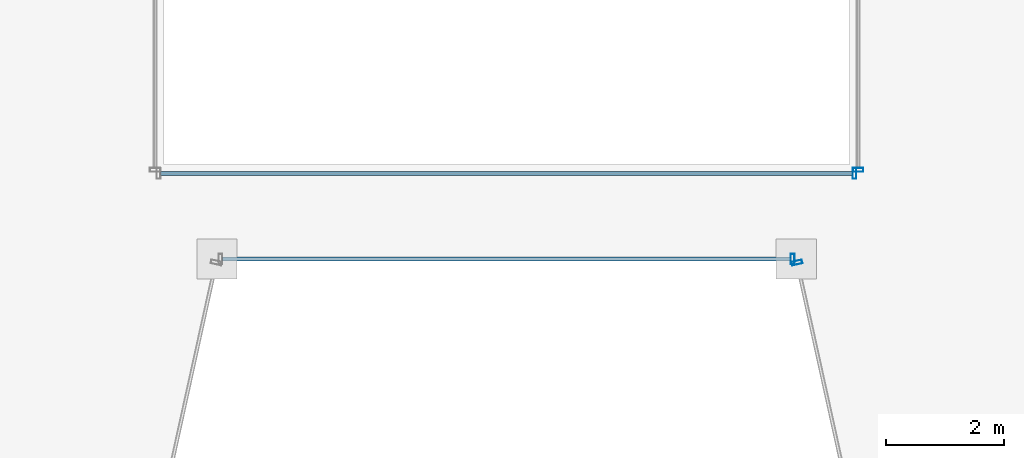
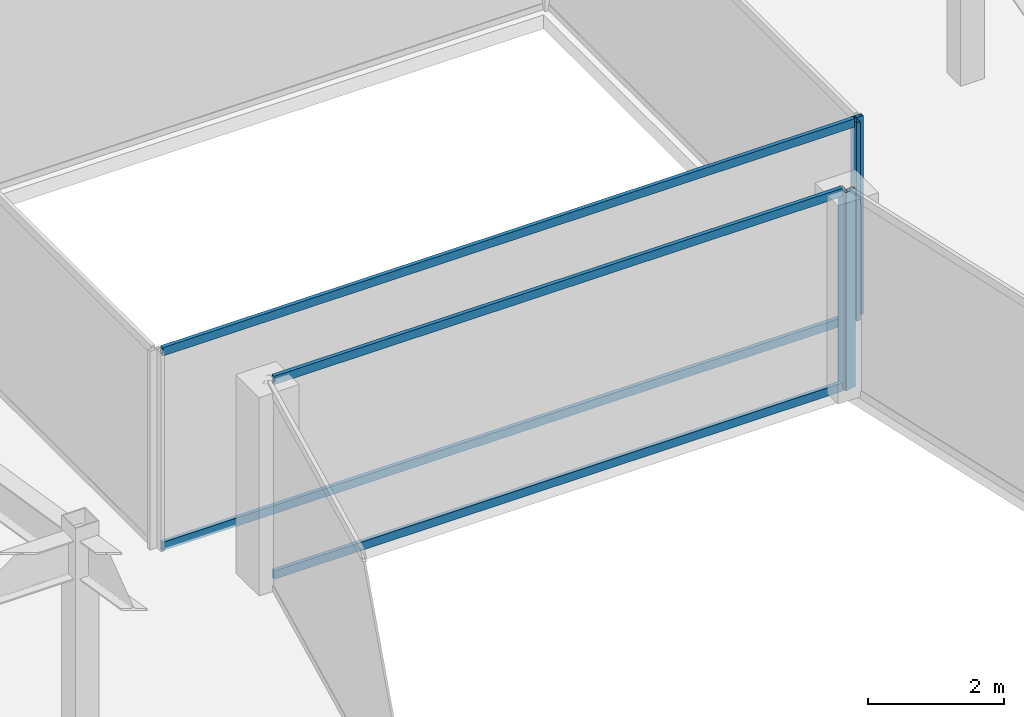
# One storey, part 8 of 35: 8 members, 4 elements without a shape of their own.
"""IFC4 building model written with IfcOpenShell, lengths in metres."""

from ifc_helpers import new_model, si_unit, direction, frame, origin, origin_2d, place, context, subcontext, project, spatial, hollow_rectangle, extrude, material, material_profile, profile_set, type_object, element, aggregate, save


model = new_model("IFC4")

# Units and contexts
model_context = context("Model", 3, precision=1e-05, world=origin(), true_north=direction((0.0, 1.0)))
body_context = subcontext(model_context, "Body", "Model", "MODEL_VIEW")
ifc_project = project(units=[si_unit("LENGTHUNIT", "METRE"), si_unit("AREAUNIT", "SQUARE_METRE"), si_unit("VOLUMEUNIT", "CUBIC_METRE"), si_unit("PLANEANGLEUNIT", "RADIAN"), si_unit("MASSUNIT", "GRAM", prefix="KILO")], contexts=[model_context])

# Site, building, storey
site_placement = place(None, origin())
site = spatial("IfcSite", under=ifc_project, at=site_placement, CompositionType="ELEMENT")
building_placement = place(site_placement, origin())
building = spatial("IfcBuilding", under=site, at=building_placement, Name="Saevonmaru Cultural Tower", CompositionType="ELEMENT")
storey_placement = place(building_placement, frame((0.0, 0.0, 213.199951171875)))
storey = spatial("IfcBuildingStorey", under=building, at=storey_placement, Name="L49", CompositionType="ELEMENT", Elevation=213.199951171875)

# Curtain wall, member
ifc_material = material(Name="Satin Bronze Anodised Aluminium", Category="aluminium")
curtain_wall_type_1 = type_object("IfcCurtainWallType", Name="CW-TYP-B", PredefinedType="NOTDEFINED", material=ifc_material)
curtain_wall_1_placement = place(storey_placement, origin())
curtain_wall_1 = element("IfcCurtainWall", 1, at=curtain_wall_1_placement, inside=storey, type_object=curtain_wall_type_1, Name="L49 Unitised Curtain Wall E4", PredefinedType="NOTDEFINED")
ifc_material_profile_1 = material_profile(ifc_material, hollow_rectangle(XDim=0.06494140625, YDim=0.179931640625, WallThickness=0.00390625, at=origin_2d()), Name="ALU-MULL-180x65x4")
ifc_profile_set_1 = profile_set([ifc_material_profile_1], Name="Satin Bronze Anodised Aluminium")
member_type_1 = type_object("IfcMemberType", Name="ML-CW-180x65", PredefinedType="MULLION", material=ifc_profile_set_1)
member_1_placement = place(storey_placement, frame((34.84228515625, 26.0, 0.0), z_axis=(0.0, 0.0, 1.0), x_axis=(1.0, 0.0, 0.0)))
member_1 = element("IfcMember", 2, at=member_1_placement, type_object=member_type_1, Name="CW-TW-L49-E4 mullion 2", PredefinedType="MULLION", context=body_context, shape_type="SweptSolid", body=[
    extrude(hollow_rectangle(XDim=0.06494140625, YDim=0.179931640625, WallThickness=0.00390625, at=origin_2d()), origin(), (0.0, 0.0, 1.0), 3.550048828125),
])

curtain_wall_2_placement = place(storey_placement, origin())
curtain_wall_2 = element("IfcCurtainWall", 3, at=curtain_wall_2_placement, inside=storey, type_object=curtain_wall_type_1, Name="L49 Unitised Curtain Wall E5", PredefinedType="NOTDEFINED")
member_2_placement = place(storey_placement, frame((34.9150390625, 25.94140625, 0.0), z_axis=(0.0, 0.0, 1.0), x_axis=(0.215413319953, -0.976522965212, 0.0)))
member_2 = element("IfcMember", 4, at=member_2_placement, type_object=member_type_1, Name="CW-TW-L49-E5 mullion 1", PredefinedType="MULLION", context=body_context, shape_type="SweptSolid", body=[
    extrude(hollow_rectangle(XDim=0.06494140625, YDim=0.179931640625, WallThickness=0.00390625, at=origin_2d()), origin(), (0.0, 0.0, 1.0), 3.550048828125),
])
aggregate(curtain_wall_2, [member_2])

curtain_wall_type_2 = type_object("IfcCurtainWallType", Name="CW-ATR-GLZ", PredefinedType="NOTDEFINED", material=ifc_material)
curtain_wall_3_placement = place(storey_placement, origin())
curtain_wall_3 = element("IfcCurtainWall", 5, at=curtain_wall_3_placement, inside=storey, type_object=curtain_wall_type_2, Name="L49 Vertical Atrium Glazed Smoke Screen 1", PredefinedType="NOTDEFINED")
ifc_material_profile_2 = material_profile(ifc_material, hollow_rectangle(XDim=0.06494140625, YDim=0.179931640625, WallThickness=0.00390625, at=origin_2d()), Name="ALU-MULL-180x65x4")
ifc_profile_set_2 = profile_set([ifc_material_profile_2], Name="Satin Bronze Anodised Aluminium")
member_type_2 = type_object("IfcMemberType", Name="ML-CW-INT-180x65", PredefinedType="MULLION", material=ifc_profile_set_2)
member_3_placement = place(storey_placement, frame((35.889892578125, 27.449951171875, 0.0), z_axis=(0.0, 0.0, 1.0), x_axis=(1.0, 0.0, 0.0)))
member_3 = element("IfcMember", 6, at=member_3_placement, type_object=member_type_2, Name="CW-ATR-L49-1 mullion 2", PredefinedType="MULLION", context=body_context, shape_type="SweptSolid", body=[
    extrude(hollow_rectangle(XDim=0.06494140625, YDim=0.179931640625, WallThickness=0.00390625, at=origin_2d()), origin(), (0.0, 0.0, 1.0), 3.550048828125),
])

curtain_wall_4_placement = place(storey_placement, origin())
curtain_wall_4 = element("IfcCurtainWall", 7, at=curtain_wall_4_placement, inside=storey, type_object=curtain_wall_type_2, Name="L49 Vertical Atrium Glazed Smoke Screen 2", PredefinedType="NOTDEFINED")
member_4_placement = place(storey_placement, frame((35.949951171875, 27.510009765625, 0.0), z_axis=(0.0, 0.0, 1.0), x_axis=(0.0, 1.0, 0.0)))
member_4 = element("IfcMember", 8, at=member_4_placement, type_object=member_type_2, Name="CW-ATR-L49-2 mullion 1", PredefinedType="MULLION", context=body_context, shape_type="SweptSolid", body=[
    extrude(hollow_rectangle(XDim=0.06494140625, YDim=0.179931640625, WallThickness=0.00390625, at=origin_2d()), origin(), (0.0, 0.0, 1.0), 3.550048828125),
])
aggregate(curtain_wall_4, [member_4])

# Member
ifc_material_profile_3 = material_profile(ifc_material, hollow_rectangle(XDim=0.06494140625, YDim=0.14990234375, WallThickness=0.00390625, at=origin_2d()), Name="ALU-TRAN-150x65x4")
ifc_profile_set_3 = profile_set([ifc_material_profile_3], Name="Satin Bronze Anodised Aluminium")
member_type_3 = type_object("IfcMemberType", Name="TR-CW-150x65", PredefinedType="USERDEFINED", material=ifc_profile_set_3)
member_5_placement = place(storey_placement, frame((25.190185546875, 26.0, 0.032470703125), z_axis=(1.0, 0.0, 0.0), x_axis=(0.0, 1.0, 0.0)))
member_5 = element("IfcMember", 9, at=member_5_placement, type_object=member_type_3, Name="CW-TW-L49-E4 transom 1.1", ObjectType="TRANSOM", PredefinedType="USERDEFINED", context=body_context, shape_type="SweptSolid", body=[
    extrude(hollow_rectangle(XDim=0.06494140625, YDim=0.14990234375, WallThickness=0.00390625, at=origin_2d()), origin(), (0.0, 0.0, 1.0), 9.61962890625),
])

member_6_placement = place(storey_placement, frame((25.190185546875, 26.0, 3.517578125), z_axis=(1.0, 0.0, 0.0), x_axis=(0.0, 1.0, 0.0)))
member_6 = element("IfcMember", 10, at=member_6_placement, type_object=member_type_3, Name="CW-TW-L49-E4 transom 1.2", ObjectType="TRANSOM", PredefinedType="USERDEFINED", context=body_context, shape_type="SweptSolid", body=[
    extrude(hollow_rectangle(XDim=0.06494140625, YDim=0.14990234375, WallThickness=0.00390625, at=origin_2d()), origin(), (0.0, 0.0, 1.0), 9.61962890625),
])

aggregate(curtain_wall_1, [member_1, member_5, member_6])

ifc_material_profile_4 = material_profile(ifc_material, hollow_rectangle(XDim=0.06494140625, YDim=0.14990234375, WallThickness=0.00390625, at=origin_2d()), Name="ALU-TRAN-150x65x4")
ifc_profile_set_4 = profile_set([ifc_material_profile_4], Name="Satin Bronze Anodised Aluminium")
member_type_4 = type_object("IfcMemberType", Name="TR-CW-INT-150x65", PredefinedType="USERDEFINED", material=ifc_profile_set_4)
member_7_placement = place(storey_placement, frame((24.142578125, 27.449951171875, 0.032470703125), z_axis=(1.0, 0.0, 0.0), x_axis=(0.0, 1.0, 0.0)))
member_7 = element("IfcMember", 11, at=member_7_placement, type_object=member_type_4, Name="CW-ATR-L49-1 transom 1.1", ObjectType="TRANSOM", PredefinedType="USERDEFINED", context=body_context, shape_type="SweptSolid", body=[
    extrude(hollow_rectangle(XDim=0.06494140625, YDim=0.14990234375, WallThickness=0.00390625, at=origin_2d()), origin(), (0.0, 0.0, 1.0), 11.71484375),
])

member_8_placement = place(storey_placement, frame((24.142578125, 27.449951171875, 3.517578125), z_axis=(1.0, 0.0, 0.0), x_axis=(0.0, 1.0, 0.0)))
member_8 = element("IfcMember", 12, at=member_8_placement, type_object=member_type_4, Name="CW-ATR-L49-1 transom 1.2", ObjectType="TRANSOM", PredefinedType="USERDEFINED", context=body_context, shape_type="SweptSolid", body=[
    extrude(hollow_rectangle(XDim=0.06494140625, YDim=0.14990234375, WallThickness=0.00390625, at=origin_2d()), origin(), (0.0, 0.0, 1.0), 11.71484375),
])

aggregate(curtain_wall_3, [member_3, member_7, member_8])

save(model, "model.ifc")
